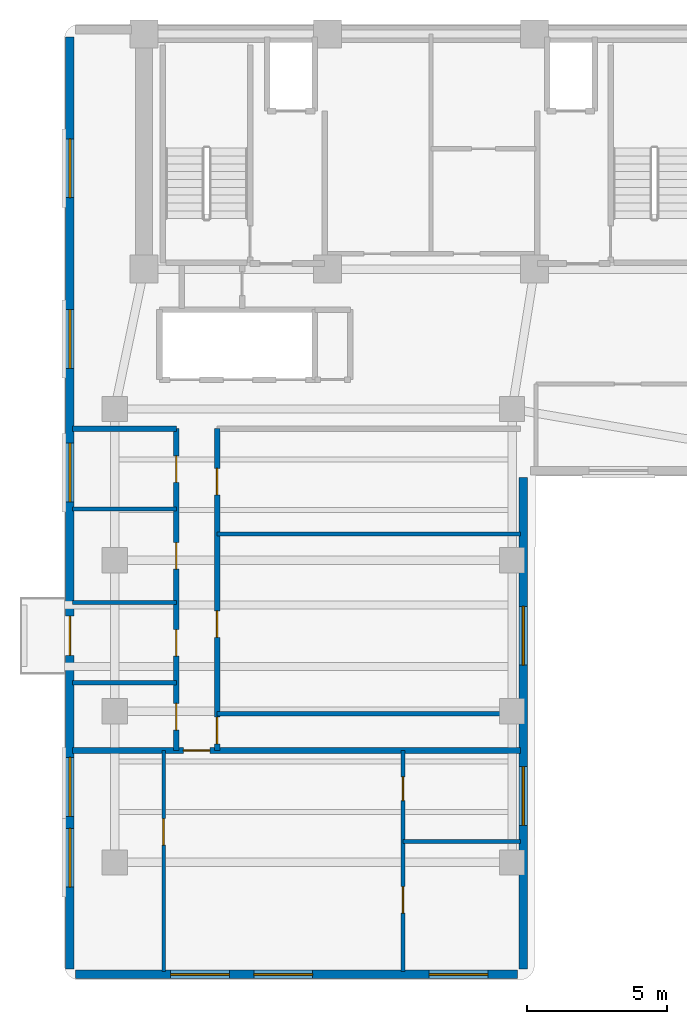
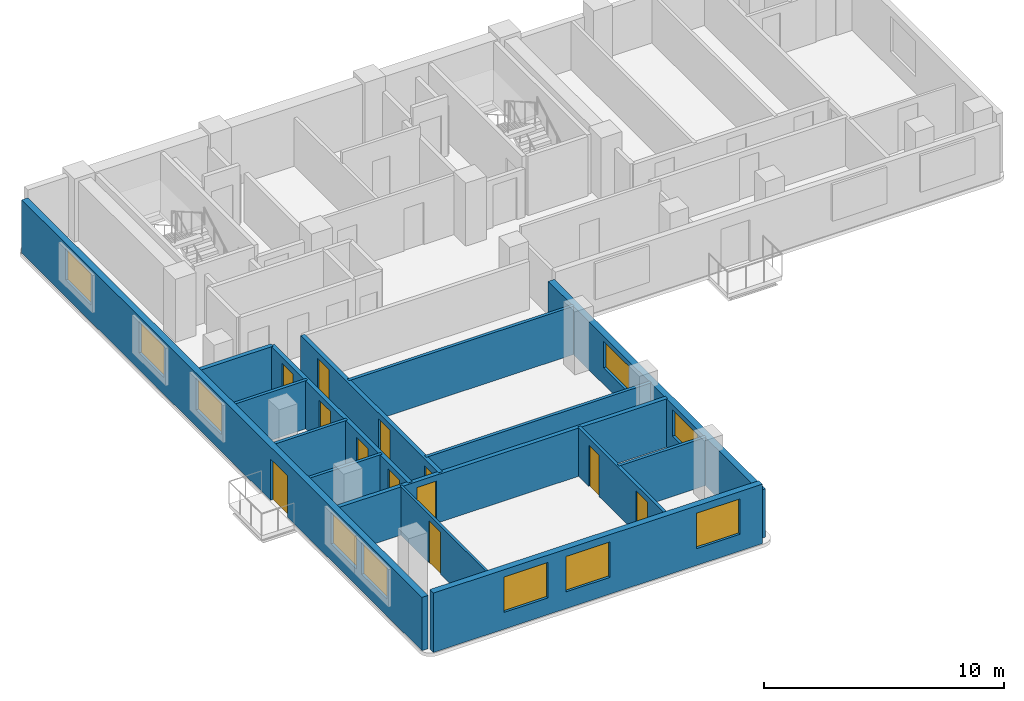
# One storey, part 2 of 7: 15 walls, 12 doors, 10 windows, 22 openings.
"""IFC4 building model written with IfcOpenShell, lengths in metres."""

from ifc_helpers import new_model, si_unit, direction, frame, frame_2d, origin, place, context, subcontext, project, spatial, rectangle, extrude, material, layer, layer_set, type_object, element, fill, save


model = new_model("IFC4")

# Units and contexts
model_context = context("Model", 3, precision=1e-05, world=origin(), true_north=direction((0.0, 1.0)))
body_context = subcontext(model_context, "Body", "Model", "MODEL_VIEW")
ifc_project = project(units=[si_unit("LENGTHUNIT", "METRE"), si_unit("AREAUNIT", "SQUARE_METRE"), si_unit("VOLUMEUNIT", "CUBIC_METRE"), si_unit("PLANEANGLEUNIT", "RADIAN"), si_unit("MASSUNIT", "GRAM", prefix="KILO")], contexts=[model_context])

# Site, building, storey
site_placement = place(None, origin())
site = spatial("IfcSite", under=ifc_project, at=site_placement, CompositionType="ELEMENT")
building_placement = place(site_placement, origin())
building = spatial("IfcBuilding", under=site, at=building_placement, Name="Kuzgunbayir Cultural Tower", CompositionType="ELEMENT")
storey_placement = place(building_placement, frame((0.0, 0.0, 179.199951171875)))
storey = spatial("IfcBuildingStorey", under=building, at=storey_placement, Name="L52", CompositionType="ELEMENT", Elevation=179.199951171875)

# Wall, openings, windows
ifc_material_1 = material(Name="Anatolian Cream Limestone", Category="masonry")
ifc_layer_1 = layer(ifc_material_1, 0.300048828125)
ifc_layer_set_1 = layer_set([ifc_layer_1], Name="Anatolian Cream Limestone")
wall_type_1 = type_object("IfcWallType", Name="WAL-EXT-STONE-300", PredefinedType="STANDARD", material=ifc_layer_set_1)
wall_1_placement = place(storey_placement, frame((4.0, 8.60009765625, 0.0), z_axis=(0.0, 0.0, 1.0), x_axis=(1.0, 0.0, 0.0)))
wall_1 = element("IfcWall", 1, at=wall_1_placement, inside=storey, type_object=wall_type_1, Name="L52 Wing A South Limestone Wall", PredefinedType="STANDARD", context=body_context, shape_type="SweptSolid", body=[
    extrude(rectangle(XDim=15.800048828125, YDim=0.300048828125, at=frame_2d((7.89990234375, 0.0))), origin(), (0.0, 0.0, 1.0), 3.02001953125),
])
opening_1_placement = place(wall_1_placement, frame((6.3701171875, 0.0, 0.85009765625)))
opening_1 = element("IfcOpeningElement", 2, at=opening_1_placement, cuts=wall_1, Name="Opening WR-21", PredefinedType="OPENING", context=body_context, shape_type="SweptSolid", body=[
    extrude(rectangle(XDim=2.10009765625, YDim=1.800048828125, at=frame_2d((1.050048828125, 0.89990234375))), frame((0.0, 0.16015625, 0.0), z_axis=(0.0, -1.0, 0.0), x_axis=(1.0, 0.0, 0.0)), (0.0, 0.0, 1.0), 0.320068359375),
])
opening_2_placement = place(wall_1_placement, frame((12.6298828125, 0.0, 0.85009765625)))
opening_2 = element("IfcOpeningElement", 3, at=opening_2_placement, cuts=wall_1, Name="Opening WR-21", PredefinedType="OPENING", context=body_context, shape_type="SweptSolid", body=[
    extrude(rectangle(XDim=2.10009765625, YDim=1.800048828125, at=frame_2d((1.050048828125, 0.89990234375))), frame((0.0, 0.16015625, 0.0), z_axis=(0.0, -1.0, 0.0), x_axis=(1.0, 0.0, 0.0)), (0.0, 0.0, 1.0), 0.320068359375),
])
opening_3_placement = place(wall_1_placement, frame((3.39990234375, 0.0, 0.85009765625)))
opening_3 = element("IfcOpeningElement", 4, at=opening_3_placement, cuts=wall_1, Name="Opening WR-21", PredefinedType="OPENING", context=body_context, shape_type="SweptSolid", body=[
    extrude(rectangle(XDim=2.10009765625, YDim=1.800048828125, at=frame_2d((1.050048828125, 0.89990234375))), frame((0.0, 0.16015625, 0.0), z_axis=(0.0, -1.0, 0.0), x_axis=(1.0, 0.0, 0.0)), (0.0, 0.0, 1.0), 0.320068359375),
])
ifc_material_2 = material(Name="Solar-Control Triple Glazing", Category="glass")
window_type = type_object("IfcWindowType", Name="WIN-RESID-21", PartitioningType="SINGLE_PANEL", PredefinedType="WINDOW", material=ifc_material_2)
window_1_placement = place(opening_1_placement, origin())
window_1 = element("IfcWindow", 5, at=window_1_placement, inside=storey, type_object=window_type, Name="L52 WAS Facade Window 2", OverallHeight=1.800048828125, OverallWidth=2.10009765625, PartitioningType="SINGLE_PANEL", PredefinedType="WINDOW", context=body_context, shape_type="SweptSolid", body=[
    extrude(rectangle(XDim=2.10009765625, YDim=1.800048828125, at=frame_2d((1.050048828125, 0.89990234375))), frame((0.0, 0.030029296875, 0.0), z_axis=(0.0, -1.0, 0.0), x_axis=(1.0, 0.0, 0.0)), (0.0, 0.0, 1.0), 0.06005859375),
])
fill(opening_1, window_1)
window_2_placement = place(opening_2_placement, origin())
window_2 = element("IfcWindow", 6, at=window_2_placement, inside=storey, type_object=window_type, Name="L52 WAS Facade Window 3", OverallHeight=1.800048828125, OverallWidth=2.10009765625, PartitioningType="SINGLE_PANEL", PredefinedType="WINDOW", context=body_context, shape_type="SweptSolid", body=[
    extrude(rectangle(XDim=2.10009765625, YDim=1.800048828125, at=frame_2d((1.050048828125, 0.89990234375))), frame((0.0, 0.030029296875, 0.0), z_axis=(0.0, -1.0, 0.0), x_axis=(1.0, 0.0, 0.0)), (0.0, 0.0, 1.0), 0.06005859375),
])
fill(opening_2, window_2)
window_3_placement = place(opening_3_placement, origin())
window_3 = element("IfcWindow", 7, at=window_3_placement, inside=storey, type_object=window_type, Name="L52 WAS Facade Window 14", OverallHeight=1.800048828125, OverallWidth=2.10009765625, PartitioningType="SINGLE_PANEL", PredefinedType="WINDOW", context=body_context, shape_type="SweptSolid", body=[
    extrude(rectangle(XDim=2.10009765625, YDim=1.800048828125, at=frame_2d((1.050048828125, 0.89990234375))), frame((0.0, 0.030029296875, 0.0), z_axis=(0.0, -1.0, 0.0), x_axis=(1.0, 0.0, 0.0)), (0.0, 0.0, 1.0), 0.06005859375),
])
fill(opening_3, window_3)

# Wall, openings, door, windows
wall_2_placement = place(storey_placement, frame((3.800048828125, 42.10009765625, 0.0), z_axis=(0.0, 0.0, 1.0), x_axis=(0.0, -1.0, 0.0)))
wall_2 = element("IfcWall", 8, at=wall_2_placement, inside=storey, type_object=wall_type_1, Name="L52 Wing A West Limestone Wall", PredefinedType="STANDARD", context=body_context, shape_type="SweptSolid", body=[
    extrude(rectangle(XDim=33.300048828125, YDim=0.300048828125, at=frame_2d((16.64990234375, 0.0))), origin(), (0.0, 0.0, 1.0), 2.7099609375),
])
opening_4_placement = place(wall_2_placement, frame((20.699951171875, 0.0, 0.0)))
opening_4 = element("IfcOpeningElement", 9, at=opening_4_placement, cuts=wall_2, Name="Opening BD-15", PredefinedType="OPENING", context=body_context, shape_type="SweptSolid", body=[
    extrude(rectangle(XDim=1.39990234375, YDim=2.10009765625, at=frame_2d((0.699951171875, 1.050048828125))), frame((0.0, 0.16015625, 0.0), z_axis=(0.0, -1.0, 0.0), x_axis=(1.0, 0.0, 0.0)), (0.0, 0.0, 1.0), 0.320068359375),
])
opening_5_placement = place(wall_2_placement, frame((28.280029296875, 0.0, 0.85009765625)))
opening_5 = element("IfcOpeningElement", 10, at=opening_5_placement, cuts=wall_2, Name="Opening WR-21", PredefinedType="OPENING", context=body_context, shape_type="SweptSolid", body=[
    extrude(rectangle(XDim=2.10009765625, YDim=1.610107421875, at=frame_2d((1.050048828125, 0.80517578125))), frame((0.0, 0.16015625, 0.0), z_axis=(0.0, -1.0, 0.0), x_axis=(1.0, 0.0, 0.0)), (0.0, 0.0, 1.0), 0.320068359375),
])
opening_6_placement = place(wall_2_placement, frame((25.75, 0.0, 0.85009765625)))
opening_6 = element("IfcOpeningElement", 11, at=opening_6_placement, cuts=wall_2, Name="Opening WR-21", PredefinedType="OPENING", context=body_context, shape_type="SweptSolid", body=[
    extrude(rectangle(XDim=2.10009765625, YDim=1.610107421875, at=frame_2d((1.050048828125, 0.80517578125))), frame((0.0, 0.16015625, 0.0), z_axis=(0.0, -1.0, 0.0), x_axis=(1.0, 0.0, 0.0)), (0.0, 0.0, 1.0), 0.320068359375),
])
opening_7_placement = place(wall_2_placement, frame((14.52001953125, 0.0, 0.85009765625)))
opening_7 = element("IfcOpeningElement", 12, at=opening_7_placement, cuts=wall_2, Name="Opening WR-21", PredefinedType="OPENING", context=body_context, shape_type="SweptSolid", body=[
    extrude(rectangle(XDim=2.10009765625, YDim=1.610107421875, at=frame_2d((1.050048828125, 0.80517578125))), frame((0.0, 0.16015625, 0.0), z_axis=(0.0, -1.0, 0.0), x_axis=(1.0, 0.0, 0.0)), (0.0, 0.0, 1.0), 0.320068359375),
])
opening_8_placement = place(wall_2_placement, frame((9.75, 0.0, 0.85009765625)))
opening_8 = element("IfcOpeningElement", 13, at=opening_8_placement, cuts=wall_2, Name="Opening WR-21", PredefinedType="OPENING", context=body_context, shape_type="SweptSolid", body=[
    extrude(rectangle(XDim=2.10009765625, YDim=1.610107421875, at=frame_2d((1.050048828125, 0.80517578125))), frame((0.0, 0.16015625, 0.0), z_axis=(0.0, -1.0, 0.0), x_axis=(1.0, 0.0, 0.0)), (0.0, 0.0, 1.0), 0.320068359375),
])
opening_9_placement = place(wall_2_placement, frame((3.64990234375, 0.0, 0.85009765625)))
opening_9 = element("IfcOpeningElement", 14, at=opening_9_placement, cuts=wall_2, Name="Opening WR-21", PredefinedType="OPENING", context=body_context, shape_type="SweptSolid", body=[
    extrude(rectangle(XDim=2.10009765625, YDim=1.610107421875, at=frame_2d((1.050048828125, 0.80517578125))), frame((0.0, 0.16015625, 0.0), z_axis=(0.0, -1.0, 0.0), x_axis=(1.0, 0.0, 0.0)), (0.0, 0.0, 1.0), 0.320068359375),
])
ifc_material_3 = material(Name="Thermally Broken Glazed Aluminium", Category="aluminium")
door_type_1 = type_object("IfcDoorType", Name="DR-BALCONY-150", OperationType="SLIDING_TO_RIGHT", PredefinedType="DOOR", material=ifc_material_3)
door_1_placement = place(opening_4_placement, origin())
door_1 = element("IfcDoor", 15, at=door_1_placement, inside=storey, type_object=door_type_1, Name="L52 West Balcony Sliding Door BAL-L52-WA2", OperationType="SLIDING_TO_RIGHT", OverallHeight=2.10009765625, OverallWidth=1.39990234375, PredefinedType="DOOR", context=body_context, shape_type="SweptSolid", body=[
    extrude(rectangle(XDim=1.39990234375, YDim=2.10009765625, at=frame_2d((0.699951171875, 1.050048828125))), frame((0.0, 0.02490234375, 0.0), z_axis=(0.0, -1.0, 0.0), x_axis=(1.0, 0.0, 0.0)), (0.0, 0.0, 1.0), 0.050048828125),
])
fill(opening_4, door_1)
window_4_placement = place(opening_5_placement, origin())
window_4 = element("IfcWindow", 16, at=window_4_placement, inside=storey, type_object=window_type, Name="L52 WAW Facade Window 1", OverallHeight=1.610107421875, OverallWidth=2.10009765625, PartitioningType="SINGLE_PANEL", PredefinedType="WINDOW", context=body_context, shape_type="SweptSolid", body=[
    extrude(rectangle(XDim=2.10009765625, YDim=1.610107421875, at=frame_2d((1.050048828125, 0.80517578125))), frame((0.0, 0.030029296875, 0.0), z_axis=(0.0, -1.0, 0.0), x_axis=(1.0, 0.0, 0.0)), (0.0, 0.0, 1.0), 0.06005859375),
])
fill(opening_5, window_4)
window_5_placement = place(opening_6_placement, origin())
window_5 = element("IfcWindow", 17, at=window_5_placement, inside=storey, type_object=window_type, Name="L52 WAW Facade Window 9", OverallHeight=1.610107421875, OverallWidth=2.10009765625, PartitioningType="SINGLE_PANEL", PredefinedType="WINDOW", context=body_context, shape_type="SweptSolid", body=[
    extrude(rectangle(XDim=2.10009765625, YDim=1.610107421875, at=frame_2d((1.050048828125, 0.80517578125))), frame((0.0, 0.030029296875, 0.0), z_axis=(0.0, -1.0, 0.0), x_axis=(1.0, 0.0, 0.0)), (0.0, 0.0, 1.0), 0.06005859375),
])
fill(opening_6, window_5)
window_6_placement = place(opening_7_placement, origin())
window_6 = element("IfcWindow", 18, at=window_6_placement, inside=storey, type_object=window_type, Name="L52 WAW Facade Window 10", OverallHeight=1.610107421875, OverallWidth=2.10009765625, PartitioningType="SINGLE_PANEL", PredefinedType="WINDOW", context=body_context, shape_type="SweptSolid", body=[
    extrude(rectangle(XDim=2.10009765625, YDim=1.610107421875, at=frame_2d((1.050048828125, 0.80517578125))), frame((0.0, 0.030029296875, 0.0), z_axis=(0.0, -1.0, 0.0), x_axis=(1.0, 0.0, 0.0)), (0.0, 0.0, 1.0), 0.06005859375),
])
fill(opening_7, window_6)
window_7_placement = place(opening_8_placement, origin())
window_7 = element("IfcWindow", 19, at=window_7_placement, inside=storey, type_object=window_type, Name="L52 WAW Facade Window 11", OverallHeight=1.610107421875, OverallWidth=2.10009765625, PartitioningType="SINGLE_PANEL", PredefinedType="WINDOW", context=body_context, shape_type="SweptSolid", body=[
    extrude(rectangle(XDim=2.10009765625, YDim=1.610107421875, at=frame_2d((1.050048828125, 0.80517578125))), frame((0.0, 0.030029296875, 0.0), z_axis=(0.0, -1.0, 0.0), x_axis=(1.0, 0.0, 0.0)), (0.0, 0.0, 1.0), 0.06005859375),
])
fill(opening_8, window_7)
window_8_placement = place(opening_9_placement, origin())
window_8 = element("IfcWindow", 20, at=window_8_placement, inside=storey, type_object=window_type, Name="L52 WAW Facade Window 12", OverallHeight=1.610107421875, OverallWidth=2.10009765625, PartitioningType="SINGLE_PANEL", PredefinedType="WINDOW", context=body_context, shape_type="SweptSolid", body=[
    extrude(rectangle(XDim=2.10009765625, YDim=1.610107421875, at=frame_2d((1.050048828125, 0.80517578125))), frame((0.0, 0.030029296875, 0.0), z_axis=(0.0, -1.0, 0.0), x_axis=(1.0, 0.0, 0.0)), (0.0, 0.0, 1.0), 0.06005859375),
])
fill(opening_9, window_8)

# Wall, openings, windows
wall_3_placement = place(storey_placement, frame((20.0, 8.800048828125, 0.0), z_axis=(0.0, 0.0, 1.0), x_axis=(0.0, 1.0, 0.0)))
wall_3 = element("IfcWall", 21, at=wall_3_placement, inside=storey, type_object=wall_type_1, Name="L52 Wing A East Limestone Wall", PredefinedType="STANDARD", context=body_context, shape_type="SweptSolid", body=[
    extrude(rectangle(XDim=17.550048828125, YDim=0.300048828125, at=frame_2d((8.77490234375, 0.0))), origin(), (0.0, 0.0, 1.0), 2.449951171875),
])
opening_10_placement = place(wall_3_placement, frame((5.1201171875, 0.0, 0.85009765625)))
opening_10 = element("IfcOpeningElement", 22, at=opening_10_placement, cuts=wall_3, Name="Opening WR-21", PredefinedType="OPENING", context=body_context, shape_type="SweptSolid", body=[
    extrude(rectangle(XDim=2.10009765625, YDim=1.35009765625, at=frame_2d((1.050048828125, 0.675048828125))), frame((0.0, 0.16015625, 0.0), z_axis=(0.0, -1.0, 0.0), x_axis=(1.0, 0.0, 0.0)), (0.0, 0.0, 1.0), 0.320068359375),
])
opening_11_placement = place(wall_3_placement, frame((10.85009765625, 0.0, 0.85009765625)))
opening_11 = element("IfcOpeningElement", 23, at=opening_11_placement, cuts=wall_3, Name="Opening WR-21", PredefinedType="OPENING", context=body_context, shape_type="SweptSolid", body=[
    extrude(rectangle(XDim=2.10009765625, YDim=1.35009765625, at=frame_2d((1.050048828125, 0.675048828125))), frame((0.0, 0.16015625, 0.0), z_axis=(0.0, -1.0, 0.0), x_axis=(1.0, 0.0, 0.0)), (0.0, 0.0, 1.0), 0.320068359375),
])
window_9_placement = place(opening_10_placement, origin())
window_9 = element("IfcWindow", 24, at=window_9_placement, inside=storey, type_object=window_type, Name="L52 WAE Facade Window 4", OverallHeight=1.35009765625, OverallWidth=2.10009765625, PartitioningType="SINGLE_PANEL", PredefinedType="WINDOW", context=body_context, shape_type="SweptSolid", body=[
    extrude(rectangle(XDim=2.10009765625, YDim=1.35009765625, at=frame_2d((1.050048828125, 0.675048828125))), frame((0.0, 0.030029296875, 0.0), z_axis=(0.0, -1.0, 0.0), x_axis=(1.0, 0.0, 0.0)), (0.0, 0.0, 1.0), 0.06005859375),
])
fill(opening_10, window_9)
window_10_placement = place(opening_11_placement, origin())
window_10 = element("IfcWindow", 25, at=window_10_placement, inside=storey, type_object=window_type, Name="L52 WAE Facade Window 13", OverallHeight=1.35009765625, OverallWidth=2.10009765625, PartitioningType="SINGLE_PANEL", PredefinedType="WINDOW", context=body_context, shape_type="SweptSolid", body=[
    extrude(rectangle(XDim=2.10009765625, YDim=1.35009765625, at=frame_2d((1.050048828125, 0.675048828125))), frame((0.0, 0.030029296875, 0.0), z_axis=(0.0, -1.0, 0.0), x_axis=(1.0, 0.0, 0.0)), (0.0, 0.0, 1.0), 0.06005859375),
])
fill(opening_11, window_10)

# Walls
ifc_material_4 = material(Name="Acoustic Double-Stud Drywall", Category="gypsum")
ifc_layer_2 = layer(ifc_material_4, 0.14990234375)
ifc_layer_set_2 = layer_set([ifc_layer_2], Name="Acoustic Double-Stud Drywall")
wall_type_2 = type_object("IfcWallType", Name="WAL-PART-ACOUSTIC-150", PredefinedType="PARTITIONING", material=ifc_layer_set_2)
for number, where, z_axis, x_axis, name in (
    (26, (3.89990234375, 19.02001953125, 0.0), (0.0, 0.0, 1.0), (1.0, 0.0, 0.0), "L52 West Study Partition 1"),
    (27, (3.89990234375, 21.889892578125, 0.0), (0.0, 0.0, 1.0), (1.0, 0.0, 0.0), "L52 West Study Partition 2"),
    (28, (3.89990234375, 25.22998046875, 0.0), (0.0, 0.0, 1.0), (1.0, 0.0, 0.0), "L52 West Study Partition 3"),
):
    element("IfcWall", number, at=place(storey_placement, frame(where, z_axis=z_axis, x_axis=x_axis)), inside=storey, type_object=wall_type_2, Name=name, PredefinedType="PARTITIONING", context=body_context, shape_type="SweptSolid", body=[
        extrude(rectangle(XDim=3.7001953125, YDim=0.14990234375, at=frame_2d((1.85009765625, 0.0))), origin(), (0.0, 0.0, 1.0), 2.449951171875),
    ])
wall_4_placement = place(storey_placement, frame((9.06005859375, 24.330078125, 0.0), z_axis=(0.0, 0.0, 1.0), x_axis=(1.0, 0.0, 0.0)))
element("IfcWall", 29, at=wall_4_placement, inside=storey, type_object=wall_type_2, Name="L52 East Divider 1", PredefinedType="PARTITIONING", context=body_context, shape_type="SweptSolid", body=[
    extrude(rectangle(XDim=10.83984375, YDim=0.14990234375, at=frame_2d((5.419921875, 0.0))), origin(), (0.0, 0.0, 1.0), 2.449951171875),
])

# Wall, openings, doors
ifc_material_5 = material(Name="Aerated Concrete Blockwork", Category="masonry")
ifc_layer_3 = layer(ifc_material_5, 0.199951171875)
ifc_layer_set_3 = layer_set([ifc_layer_3], Name="Aerated Concrete Blockwork")
wall_type_3 = type_object("IfcWallType", Name="WAL-PART-FIRE-200", PredefinedType="PARTITIONING", material=ifc_layer_set_3)
wall_5_placement = place(storey_placement, frame((7.60009765625, 16.60009765625, 0.0), z_axis=(0.0, 0.0, 1.0), x_axis=(0.0, 1.0, 0.0)))
wall_5 = element("IfcWall", 30, at=wall_5_placement, inside=storey, type_object=wall_type_3, Name="L52 Wing A West Corridor Wall", PredefinedType="PARTITIONING", context=body_context, shape_type="SweptSolid", body=[
    extrude(rectangle(XDim=11.5, YDim=0.199951171875, at=frame_2d((5.75, 0.0))), origin(), (0.0, 0.0, 1.0), 2.449951171875),
])
opening_12_placement = place(wall_5_placement, frame((0.72998046875, 0.0, 0.0)))
opening_12 = element("IfcOpeningElement", 31, at=opening_12_placement, cuts=wall_5, Name="Opening DI-90", PredefinedType="OPENING", context=body_context, shape_type="SweptSolid", body=[
    extrude(rectangle(XDim=0.949951171875, YDim=2.14990234375, at=frame_2d((0.47509765625, 1.074951171875))), frame((0.0, 0.10986328125, 0.0), z_axis=(0.0, -1.0, 0.0), x_axis=(1.0, 0.0, 0.0)), (0.0, 0.0, 1.0), 0.219970703125),
])
opening_13_placement = place(wall_5_placement, frame((3.3701171875, 0.0, 0.0)))
opening_13 = element("IfcOpeningElement", 32, at=opening_13_placement, cuts=wall_5, Name="Opening DI-90", PredefinedType="OPENING", context=body_context, shape_type="SweptSolid", body=[
    extrude(rectangle(XDim=0.949951171875, YDim=2.14990234375, at=frame_2d((0.47509765625, 1.074951171875))), frame((0.0, 0.10986328125, 0.0), z_axis=(0.0, -1.0, 0.0), x_axis=(1.0, 0.0, 0.0)), (0.0, 0.0, 1.0), 0.219970703125),
])
opening_14_placement = place(wall_5_placement, frame((6.47998046875, 0.0, 0.0)))
opening_14 = element("IfcOpeningElement", 33, at=opening_14_placement, cuts=wall_5, Name="Opening DI-90", PredefinedType="OPENING", context=body_context, shape_type="SweptSolid", body=[
    extrude(rectangle(XDim=0.949951171875, YDim=2.14990234375, at=frame_2d((0.47509765625, 1.074951171875))), frame((0.0, 0.10986328125, 0.0), z_axis=(0.0, -1.0, 0.0), x_axis=(1.0, 0.0, 0.0)), (0.0, 0.0, 1.0), 0.219970703125),
])
opening_15_placement = place(wall_5_placement, frame((9.580078125, 0.0, 0.0)))
opening_15 = element("IfcOpeningElement", 34, at=opening_15_placement, cuts=wall_5, Name="Opening DI-90", PredefinedType="OPENING", context=body_context, shape_type="SweptSolid", body=[
    extrude(rectangle(XDim=0.949951171875, YDim=2.14990234375, at=frame_2d((0.47509765625, 1.074951171875))), frame((0.0, 0.10986328125, 0.0), z_axis=(0.0, -1.0, 0.0), x_axis=(1.0, 0.0, 0.0)), (0.0, 0.0, 1.0), 0.219970703125),
])
ifc_material_6 = material(Name="Veneered Oak Single Leaf", Category="wood")
door_type_2 = type_object("IfcDoorType", Name="DR-INT-90", OperationType="NOTDEFINED", PredefinedType="DOOR", material=ifc_material_6)
door_2_placement = place(opening_12_placement, origin())
door_2 = element("IfcDoor", 35, at=door_2_placement, inside=storey, type_object=door_type_2, Name="L52 Culinary Tasting Pantry W1 Door", OperationType="SINGLE_SWING_RIGHT", OverallHeight=2.14990234375, OverallWidth=0.949951171875, PredefinedType="DOOR", context=body_context, shape_type="SweptSolid", body=[
    extrude(rectangle(XDim=0.949951171875, YDim=2.14990234375, at=frame_2d((0.47509765625, 1.074951171875))), frame((0.0, 0.02490234375, 0.0), z_axis=(0.0, -1.0, 0.0), x_axis=(1.0, 0.0, 0.0)), (0.0, 0.0, 1.0), 0.050048828125),
])
fill(opening_12, door_2)
door_3_placement = place(opening_13_placement, origin())
door_3 = element("IfcDoor", 36, at=door_3_placement, inside=storey, type_object=door_type_2, Name="L52 Culinary Tasting Pantry W2 Door", OperationType="SINGLE_SWING_LEFT", OverallHeight=2.14990234375, OverallWidth=0.949951171875, PredefinedType="DOOR", context=body_context, shape_type="SweptSolid", body=[
    extrude(rectangle(XDim=0.949951171875, YDim=2.14990234375, at=frame_2d((0.47509765625, 1.074951171875))), frame((0.0, 0.02490234375, 0.0), z_axis=(0.0, -1.0, 0.0), x_axis=(1.0, 0.0, 0.0)), (0.0, 0.0, 1.0), 0.050048828125),
])
fill(opening_13, door_3)
door_4_placement = place(opening_14_placement, origin())
door_4 = element("IfcDoor", 37, at=door_4_placement, inside=storey, type_object=door_type_2, Name="L52 Culinary Tasting Pantry W3 Door", OperationType="SINGLE_SWING_RIGHT", OverallHeight=2.14990234375, OverallWidth=0.949951171875, PredefinedType="DOOR", context=body_context, shape_type="SweptSolid", body=[
    extrude(rectangle(XDim=0.949951171875, YDim=2.14990234375, at=frame_2d((0.47509765625, 1.074951171875))), frame((0.0, 0.02490234375, 0.0), z_axis=(0.0, -1.0, 0.0), x_axis=(1.0, 0.0, 0.0)), (0.0, 0.0, 1.0), 0.050048828125),
])
fill(opening_14, door_4)
door_5_placement = place(opening_15_placement, origin())
door_5 = element("IfcDoor", 38, at=door_5_placement, inside=storey, type_object=door_type_2, Name="L52 Curatorial Office W4 Door", OperationType="SINGLE_SWING_LEFT", OverallHeight=2.14990234375, OverallWidth=0.949951171875, PredefinedType="DOOR", context=body_context, shape_type="SweptSolid", body=[
    extrude(rectangle(XDim=0.949951171875, YDim=2.14990234375, at=frame_2d((0.47509765625, 1.074951171875))), frame((0.0, 0.02490234375, 0.0), z_axis=(0.0, -1.0, 0.0), x_axis=(1.0, 0.0, 0.0)), (0.0, 0.0, 1.0), 0.050048828125),
])
fill(opening_15, door_5)

wall_6_placement = place(storey_placement, frame((9.06005859375, 16.60009765625, 0.0), z_axis=(0.0, 0.0, 1.0), x_axis=(0.0, 1.0, 0.0)))
wall_6 = element("IfcWall", 39, at=wall_6_placement, inside=storey, type_object=wall_type_3, Name="L52 Wing A East Corridor Wall", PredefinedType="PARTITIONING", context=body_context, shape_type="SweptSolid", body=[
    extrude(rectangle(XDim=11.5, YDim=0.199951171875, at=frame_2d((5.75, 0.0))), origin(), (0.0, 0.0, 1.0), 2.449951171875),
])
opening_16_placement = place(wall_6_placement, frame((0.239990234375, 0.0, 0.0)))
opening_16 = element("IfcOpeningElement", 40, at=opening_16_placement, cuts=wall_6, Name="Opening DW-95", PredefinedType="OPENING", context=body_context, shape_type="SweptSolid", body=[
    extrude(rectangle(XDim=0.949951171875, YDim=2.10009765625, at=frame_2d((0.47509765625, 1.050048828125))), frame((0.0, 0.10986328125, 0.0), z_axis=(0.0, -1.0, 0.0), x_axis=(1.0, 0.0, 0.0)), (0.0, 0.0, 1.0), 0.219970703125),
])
opening_17_placement = place(wall_6_placement, frame((4.0400390625, 0.0, 0.0)))
opening_17 = element("IfcOpeningElement", 41, at=opening_17_placement, cuts=wall_6, Name="Opening DI-90", PredefinedType="OPENING", context=body_context, shape_type="SweptSolid", body=[
    extrude(rectangle(XDim=0.949951171875, YDim=2.14990234375, at=frame_2d((0.47509765625, 1.074951171875))), frame((0.0, 0.10986328125, 0.0), z_axis=(0.0, -1.0, 0.0), x_axis=(1.0, 0.0, 0.0)), (0.0, 0.0, 1.0), 0.219970703125),
])
opening_18_placement = place(wall_6_placement, frame((9.1298828125, 0.0, 0.0)))
opening_18 = element("IfcOpeningElement", 42, at=opening_18_placement, cuts=wall_6, Name="Opening DI-90", PredefinedType="OPENING", context=body_context, shape_type="SweptSolid", body=[
    extrude(rectangle(XDim=0.949951171875, YDim=2.14990234375, at=frame_2d((0.47509765625, 1.074951171875))), frame((0.0, 0.10986328125, 0.0), z_axis=(0.0, -1.0, 0.0), x_axis=(1.0, 0.0, 0.0)), (0.0, 0.0, 1.0), 0.219970703125),
])
door_6_placement = place(opening_17_placement, origin())
door_6 = element("IfcDoor", 43, at=door_6_placement, inside=storey, type_object=door_type_2, Name="L52 East Culinary Tasting Pantry E1 Door", OperationType="SINGLE_SWING_LEFT", OverallHeight=2.14990234375, OverallWidth=0.949951171875, PredefinedType="DOOR", context=body_context, shape_type="SweptSolid", body=[
    extrude(rectangle(XDim=0.949951171875, YDim=2.14990234375, at=frame_2d((0.47509765625, 1.074951171875))), frame((0.0, 0.02490234375, 0.0), z_axis=(0.0, -1.0, 0.0), x_axis=(1.0, 0.0, 0.0)), (0.0, 0.0, 1.0), 0.050048828125),
])
fill(opening_17, door_6)
door_7_placement = place(opening_18_placement, origin())
door_7 = element("IfcDoor", 44, at=door_7_placement, inside=storey, type_object=door_type_2, Name="L52 East Art Publication Salon E2 Door", OperationType="SINGLE_SWING_RIGHT", OverallHeight=2.14990234375, OverallWidth=0.949951171875, PredefinedType="DOOR", context=body_context, shape_type="SweptSolid", body=[
    extrude(rectangle(XDim=0.949951171875, YDim=2.14990234375, at=frame_2d((0.47509765625, 1.074951171875))), frame((0.0, 0.02490234375, 0.0), z_axis=(0.0, -1.0, 0.0), x_axis=(1.0, 0.0, 0.0)), (0.0, 0.0, 1.0), 0.050048828125),
])
fill(opening_18, door_7)
ifc_material_7 = material(Name="Laminate Moisture-Resistant Leaf", Category="wood")
door_type_3 = type_object("IfcDoorType", Name="DR-WET-95", OperationType="NOTDEFINED", PredefinedType="DOOR", material=ifc_material_7)
door_8_placement = place(opening_16_placement, origin())
door_8 = element("IfcDoor", 45, at=door_8_placement, inside=storey, type_object=door_type_3, Name="L52 Visitor Accessible WC Door", OperationType="SINGLE_SWING_RIGHT", OverallHeight=2.10009765625, OverallWidth=0.949951171875, PredefinedType="DOOR", context=body_context, shape_type="SweptSolid", body=[
    extrude(rectangle(XDim=0.949951171875, YDim=2.10009765625, at=frame_2d((0.47509765625, 1.050048828125))), frame((0.0, 0.02490234375, 0.0), z_axis=(0.0, -1.0, 0.0), x_axis=(1.0, 0.0, 0.0)), (0.0, 0.0, 1.0), 0.050048828125),
])
fill(opening_16, door_8)

# Wall, opening, door
wall_7_placement = place(storey_placement, frame((3.89990234375, 16.60009765625, 0.0), z_axis=(0.0, 0.0, 1.0), x_axis=(1.0, 0.0, 0.0)))
wall_7 = element("IfcWall", 46, at=wall_7_placement, inside=storey, type_object=wall_type_3, Name="L52 South Cross Partition", PredefinedType="PARTITIONING", context=body_context, shape_type="SweptSolid", body=[
    extrude(rectangle(XDim=16.0, YDim=0.199951171875, at=frame_2d((8.0, 0.0))), origin(), (0.0, 0.0, 1.0), 2.449951171875),
])
opening_19_placement = place(wall_7_placement, frame((3.949951171875, 0.0, 0.0)))
opening_19 = element("IfcOpeningElement", 47, at=opening_19_placement, cuts=wall_7, Name="Opening DR-APT-60", PredefinedType="OPENING", context=body_context, shape_type="SweptSolid", body=[
    extrude(rectangle(XDim=0.949951171875, YDim=2.14990234375, at=frame_2d((0.47509765625, 1.074951171875))), frame((0.0, 0.10986328125, 0.0), z_axis=(0.0, -1.0, 0.0), x_axis=(1.0, 0.0, 0.0)), (0.0, 0.0, 1.0), 0.219970703125),
])
ifc_material_8 = material(Name="Acoustic Fire Timber Leaf", Category="wood")
door_type_4 = type_object("IfcDoorType", Name="DR-APT-60", OperationType="NOTDEFINED", PredefinedType="DOOR", material=ifc_material_8)
door_9_placement = place(opening_19_placement, origin())
door_9 = element("IfcDoor", 48, at=door_9_placement, inside=storey, type_object=door_type_4, Name="L52 Apartment A Entrance", OperationType="SINGLE_SWING_RIGHT", OverallHeight=2.14990234375, OverallWidth=0.949951171875, PredefinedType="DOOR", context=body_context, shape_type="SweptSolid", body=[
    extrude(rectangle(XDim=0.949951171875, YDim=2.14990234375, at=frame_2d((0.47509765625, 1.074951171875))), frame((0.0, 0.02490234375, 0.0), z_axis=(0.0, -1.0, 0.0), x_axis=(1.0, 0.0, 0.0)), (0.0, 0.0, 1.0), 0.050048828125),
])
fill(opening_19, door_9)

# Wall
wall_8_placement = place(storey_placement, frame((3.89990234375, 28.10009765625, 0.0), z_axis=(0.0, 0.0, 1.0), x_axis=(1.0, 0.0, 0.0)))
element("IfcWall", 49, at=wall_8_placement, inside=storey, type_object=wall_type_3, Name="L52 North West Partition", PredefinedType="PARTITIONING", context=body_context, shape_type="SweptSolid", body=[
    extrude(rectangle(XDim=3.7001953125, YDim=0.199951171875, at=frame_2d((1.85009765625, 0.0))), origin(), (0.0, 0.0, 1.0), 2.449951171875),
])

# Wall, opening, door
ifc_material_9 = material(Name="Framed Gypsum Partition", Category="gypsum")
ifc_layer_4 = layer(ifc_material_9, 0.1201171875)
ifc_layer_set_4 = layer_set([ifc_layer_4], Name="Framed Gypsum Partition")
wall_type_4 = type_object("IfcWallType", Name="WAL-PART-INT-120", PredefinedType="PARTITIONING", material=ifc_layer_set_4)
wall_9_placement = place(storey_placement, frame((7.14990234375, 8.699951171875, 0.0), z_axis=(0.0, 0.0, 1.0), x_axis=(0.0, 1.0, 0.0)))
wall_9 = element("IfcWall", 50, at=wall_9_placement, inside=storey, type_object=wall_type_4, Name="L52 Flat A West Bedroom Wall", PredefinedType="PARTITIONING", context=body_context, shape_type="SweptSolid", body=[
    extrude(rectangle(XDim=7.900146484375, YDim=0.1201171875, at=frame_2d((3.9501953125, 0.0))), origin(), (0.0, 0.0, 1.0), 2.449951171875),
])
opening_20_placement = place(wall_9_placement, frame((4.52001953125, 0.0, 0.0)))
opening_20 = element("IfcOpeningElement", 51, at=opening_20_placement, cuts=wall_9, Name="Opening DI-90", PredefinedType="OPENING", context=body_context, shape_type="SweptSolid", body=[
    extrude(rectangle(XDim=0.949951171875, YDim=2.14990234375, at=frame_2d((0.47509765625, 1.074951171875))), frame((0.0, 0.070068359375, 0.0), z_axis=(0.0, -1.0, 0.0), x_axis=(1.0, 0.0, 0.0)), (0.0, 0.0, 1.0), 0.14013671875),
])
door_10_placement = place(opening_20_placement, origin())
door_10 = element("IfcDoor", 52, at=door_10_placement, inside=storey, type_object=door_type_2, Name="L52 Apartment A Bedroom Door", OperationType="SINGLE_SWING_LEFT", OverallHeight=2.14990234375, OverallWidth=0.949951171875, PredefinedType="DOOR", context=body_context, shape_type="SweptSolid", body=[
    extrude(rectangle(XDim=0.949951171875, YDim=2.14990234375, at=frame_2d((0.47509765625, 1.074951171875))), frame((0.0, 0.02490234375, 0.0), z_axis=(0.0, -1.0, 0.0), x_axis=(1.0, 0.0, 0.0)), (0.0, 0.0, 1.0), 0.050048828125),
])
fill(opening_20, door_10)

# Wall, openings, doors
ifc_material_10 = material(Name="Moisture-Resistant Tile Partition", Category="gypsum")
ifc_layer_5 = layer(ifc_material_10, 0.14990234375)
ifc_layer_set_5 = layer_set([ifc_layer_5], Name="Moisture-Resistant Tile Partition")
wall_type_5 = type_object("IfcWallType", Name="WAL-PART-WET-150", PredefinedType="PARTITIONING", material=ifc_layer_set_5)
wall_10_placement = place(storey_placement, frame((15.699951171875, 8.699951171875, 0.0), z_axis=(0.0, 0.0, 1.0), x_axis=(0.0, 1.0, 0.0)))
wall_10 = element("IfcWall", 53, at=wall_10_placement, inside=storey, type_object=wall_type_5, Name="L52 Flat A East Service Wall", PredefinedType="PARTITIONING", context=body_context, shape_type="SweptSolid", body=[
    extrude(rectangle(XDim=7.900146484375, YDim=0.14990234375, at=frame_2d((3.9501953125, 0.0))), origin(), (0.0, 0.0, 1.0), 2.449951171875),
])
opening_21_placement = place(wall_10_placement, frame((2.090087890625, 0.0, 0.0)))
opening_21 = element("IfcOpeningElement", 54, at=opening_21_placement, cuts=wall_10, Name="Opening DI-90", PredefinedType="OPENING", context=body_context, shape_type="SweptSolid", body=[
    extrude(rectangle(XDim=0.949951171875, YDim=2.14990234375, at=frame_2d((0.47509765625, 1.074951171875))), frame((0.0, 0.0849609375, 0.0), z_axis=(0.0, -1.0, 0.0), x_axis=(1.0, 0.0, 0.0)), (0.0, 0.0, 1.0), 0.169921875),
])
opening_22_placement = place(wall_10_placement, frame((6.110107421875, 0.0, 0.0)))
opening_22 = element("IfcOpeningElement", 55, at=opening_22_placement, cuts=wall_10, Name="Opening DW-85", PredefinedType="OPENING", context=body_context, shape_type="SweptSolid", body=[
    extrude(rectangle(XDim=0.85009765625, YDim=2.10009765625, at=frame_2d((0.425048828125, 1.050048828125))), frame((0.0, 0.0849609375, 0.0), z_axis=(0.0, -1.0, 0.0), x_axis=(1.0, 0.0, 0.0)), (0.0, 0.0, 1.0), 0.169921875),
])
door_11_placement = place(opening_21_placement, origin())
door_11 = element("IfcDoor", 56, at=door_11_placement, inside=storey, type_object=door_type_2, Name="L52 Apartment A Kitchen Door", OperationType="SINGLE_SWING_RIGHT", OverallHeight=2.14990234375, OverallWidth=0.949951171875, PredefinedType="DOOR", context=body_context, shape_type="SweptSolid", body=[
    extrude(rectangle(XDim=0.949951171875, YDim=2.14990234375, at=frame_2d((0.47509765625, 1.074951171875))), frame((0.0, 0.02490234375, 0.0), z_axis=(0.0, -1.0, 0.0), x_axis=(1.0, 0.0, 0.0)), (0.0, 0.0, 1.0), 0.050048828125),
])
fill(opening_21, door_11)
door_type_5 = type_object("IfcDoorType", Name="DR-WET-85", OperationType="NOTDEFINED", PredefinedType="DOOR", material=ifc_material_7)
door_12_placement = place(opening_22_placement, origin())
door_12 = element("IfcDoor", 57, at=door_12_placement, inside=storey, type_object=door_type_5, Name="L52 Apartment A Bathroom Door", OperationType="SINGLE_SWING_LEFT", OverallHeight=2.10009765625, OverallWidth=0.85009765625, PredefinedType="DOOR", context=body_context, shape_type="SweptSolid", body=[
    extrude(rectangle(XDim=0.85009765625, YDim=2.10009765625, at=frame_2d((0.425048828125, 1.050048828125))), frame((0.0, 0.02490234375, 0.0), z_axis=(0.0, -1.0, 0.0), x_axis=(1.0, 0.0, 0.0)), (0.0, 0.0, 1.0), 0.050048828125),
])
fill(opening_22, door_12)

# Walls
wall_11_placement = place(storey_placement, frame((15.699951171875, 13.35009765625, 0.0), z_axis=(0.0, 0.0, 1.0), x_axis=(1.0, 0.0, 0.0)))
element("IfcWall", 58, at=wall_11_placement, inside=storey, type_object=wall_type_5, Name="L52 Flat A Bath Kitchen Divider", PredefinedType="PARTITIONING", context=body_context, shape_type="SweptSolid", body=[
    extrude(rectangle(XDim=4.199951171875, YDim=0.14990234375, at=frame_2d((2.10009765625, 0.0))), origin(), (0.0, 0.0, 1.0), 2.449951171875),
])
wall_12_placement = place(storey_placement, frame((9.06005859375, 17.909912109375, 0.0), z_axis=(0.0, 0.0, 1.0), x_axis=(1.0, 0.0, 0.0)))
element("IfcWall", 59, at=wall_12_placement, inside=storey, type_object=wall_type_5, Name="L52 East Accessible WC Wall", PredefinedType="PARTITIONING", context=body_context, shape_type="SweptSolid", body=[
    extrude(rectangle(XDim=10.83984375, YDim=0.14990234375, at=frame_2d((5.419921875, 0.0))), origin(), (0.0, 0.0, 1.0), 2.449951171875),
])

save(model, "model.ifc")
